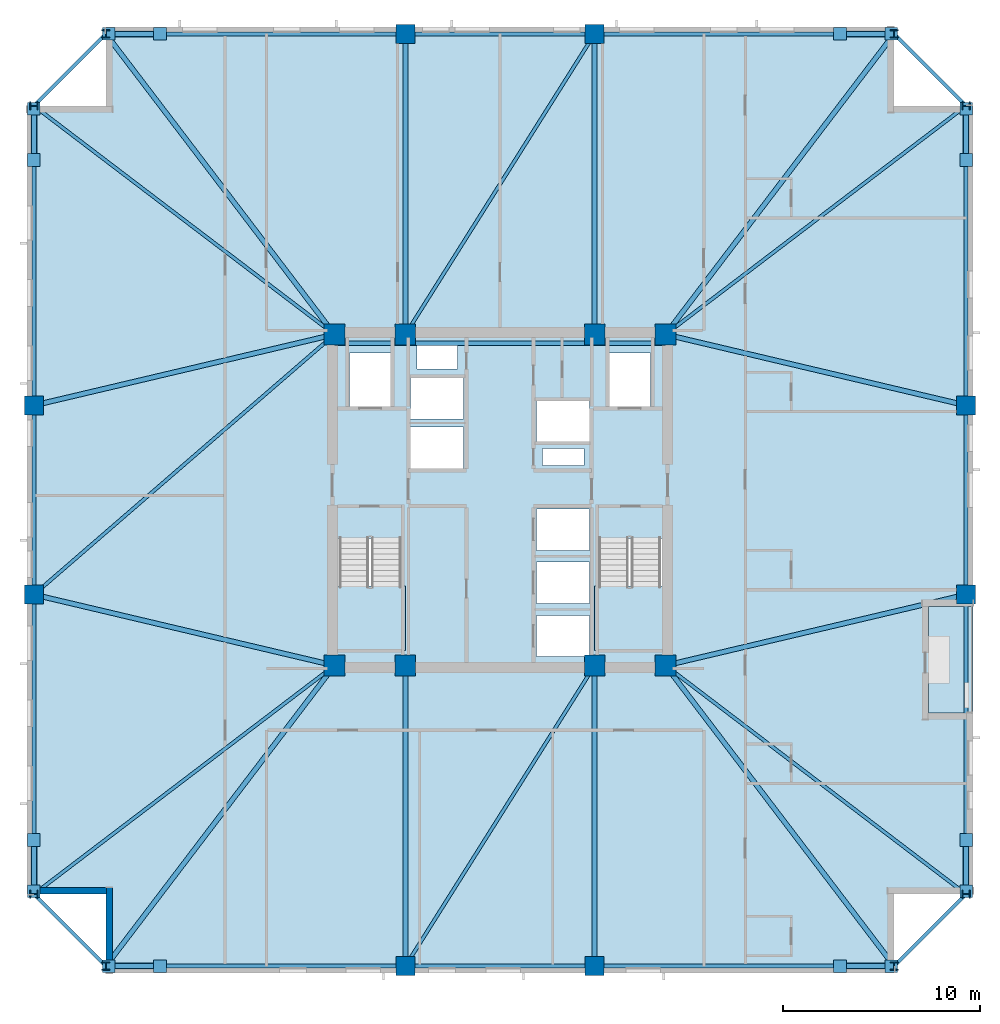
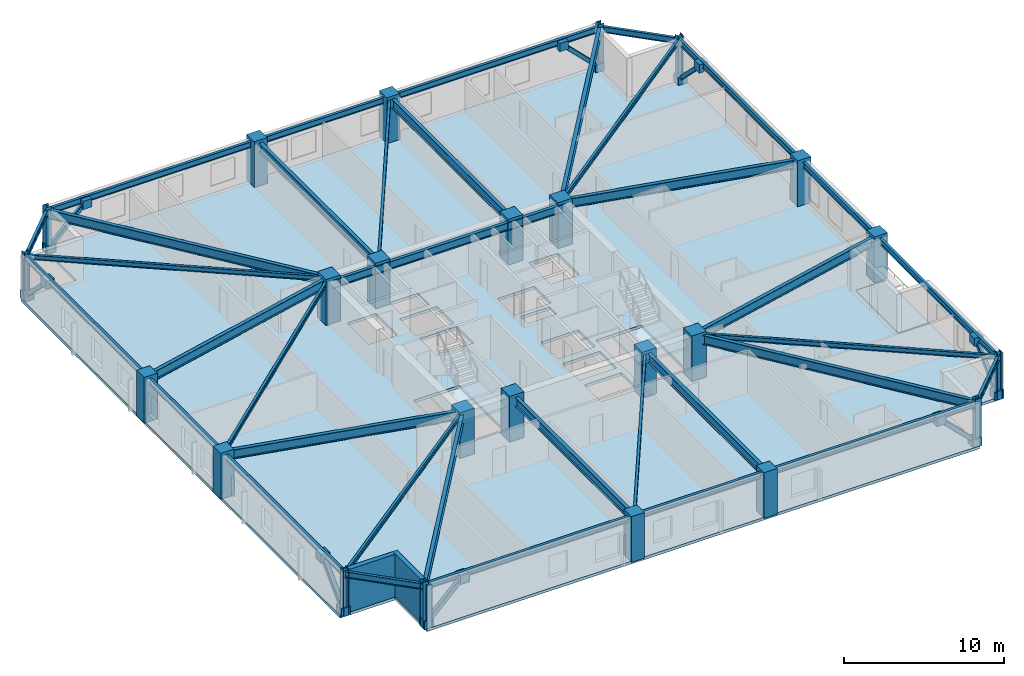
# One storey, part 1 of 10: 38 beams, 24 columns, 16 plates, 8 members, 4 slabs, 2 walls, 2 elements without a shape of their own.
"""IFC4 building model written with IfcOpenShell, lengths in metres."""

from ifc_helpers import new_model, si_unit, direction, frame, frame_2d, origin, origin_2d, place, context, subcontext, project, spatial, polyline, rectangle, hollow_rectangle, i_section, outline, extrude, material, layer, layer_set, material_profile, profile_set, type_object, element, aggregate, save


model = new_model("IFC4")

# Units and contexts
model_context = context("Model", 3, precision=1e-05, world=origin(), true_north=direction((0.0, 1.0)))
body_context = subcontext(model_context, "Body", "Model", "MODEL_VIEW")
ifc_project = project(units=[si_unit("LENGTHUNIT", "METRE"), si_unit("AREAUNIT", "SQUARE_METRE"), si_unit("VOLUMEUNIT", "CUBIC_METRE"), si_unit("PLANEANGLEUNIT", "RADIAN"), si_unit("MASSUNIT", "GRAM", prefix="KILO")], contexts=[model_context])

# Site, building, storey
site_placement = place(None, origin())
site = spatial("IfcSite", under=ifc_project, at=site_placement, CompositionType="ELEMENT")
building_placement = place(site_placement, origin())
building = spatial("IfcBuilding", under=site, at=building_placement, Name="Cairnveth Concourse Tower", CompositionType="ELEMENT")
storey_placement = place(building_placement, frame((0.0, 0.0, 179.5)))
storey = spatial("IfcBuildingStorey", under=building, at=storey_placement, Name="L49", CompositionType="ELEMENT", Elevation=179.5)

# Columns
ifc_material_1 = material(Name="Concrete N65 (65 MPa)", Category="concrete")
ifc_material_profile_1 = material_profile(ifc_material_1, rectangle(XDim=1.050048828125, YDim=1.050048828125, at=origin_2d()), Name="RC-COL-1050x1050")
ifc_profile_set_1 = profile_set([ifc_material_profile_1], Name="Concrete N65 (65 MPa)")
column_type_1 = type_object("IfcColumnType", Name="CORE COLUMN 1050X1050", PredefinedType="COLUMN", material=ifc_profile_set_1)
for number, where, z_axis, x_axis, name in (
    (1, (43.60009765625, 30.60009765625, 0.0), (0.0, 0.0, 1.0), (1.0, 0.0, 0.0), "Column CC1 L49"),
    (2, (47.199951171875, 30.60009765625, 0.0), (0.0, 0.0, 1.0), (1.0, 0.0, 0.0), "Column CC2 L49"),
    (3, (56.800048828125, 30.60009765625, 0.0), (0.0, 0.0, 1.0), (1.0, 0.0, 0.0), "Column CC3 L49"),
    (4, (60.39990234375, 30.60009765625, 0.0), (0.0, 0.0, 1.0), (1.0, 0.0, 0.0), "Column CC4 L49"),
    (5, (43.60009765625, 47.39990234375, 0.0), (0.0, 0.0, 1.0), (1.0, 0.0, 0.0), "Column CC5 L49"),
    (6, (47.199951171875, 47.39990234375, 0.0), (0.0, 0.0, 1.0), (1.0, 0.0, 0.0), "Column CC6 L49"),
    (7, (56.800048828125, 47.39990234375, 0.0), (0.0, 0.0, 1.0), (1.0, 0.0, 0.0), "Column CC7 L49"),
    (8, (60.39990234375, 47.39990234375, 0.0), (0.0, 0.0, 1.0), (1.0, 0.0, 0.0), "Column CC8 L49"),
):
    element("IfcColumn", number, at=place(storey_placement, frame(where, z_axis=z_axis, x_axis=x_axis)), inside=storey, type_object=column_type_1, Name=name, PredefinedType="COLUMN", context=body_context, shape_type="SweptSolid", body=[
        extrude(rectangle(XDim=1.050048828125, YDim=1.050048828125, at=origin_2d()), origin(), (0.0, 0.0, 1.0), 3.5),
    ])
ifc_material_profile_2 = material_profile(ifc_material_1, rectangle(XDim=0.949951171875, YDim=0.949951171875, at=origin_2d()), Name="RC-COL-950x950")
ifc_profile_set_2 = profile_set([ifc_material_profile_2], Name="Concrete N65 (65 MPa)")
column_type_2 = type_object("IfcColumnType", Name="PERIMETER PIER COLUMN 950X950", PredefinedType="COLUMN", material=ifc_profile_set_2)
for number, where, z_axis, x_axis, name in (
    (9, (47.199951171875, 15.35009765625, 0.0), (0.0, 0.0, 1.0), (1.0, 0.0, 0.0), "Column P-S2 L49"),
    (10, (56.800048828125, 15.35009765625, 0.0), (0.0, 0.0, 1.0), (1.0, 0.0, 0.0), "Column P-S3 L49"),
    (11, (75.64990234375, 34.199951171875, 0.0), (0.0, 0.0, 1.0), (0.0, 1.0, 0.0), "Column P-E2 L49"),
    (12, (75.64990234375, 43.800048828125, 0.0), (0.0, 0.0, 1.0), (0.0, 1.0, 0.0), "Column P-E3 L49"),
    (13, (56.800048828125, 62.64990234375, 0.0), (0.0, 0.0, 1.0), (1.0, 0.0, 0.0), "Column P-N2 L49"),
    (14, (47.199951171875, 62.64990234375, 0.0), (0.0, 0.0, 1.0), (1.0, 0.0, 0.0), "Column P-N3 L49"),
    (15, (28.35009765625, 43.800048828125, 0.0), (0.0, 0.0, 1.0), (0.0, 1.0, 0.0), "Column P-W2 L49"),
    (16, (28.35009765625, 34.199951171875, 0.0), (0.0, 0.0, 1.0), (0.0, 1.0, 0.0), "Column P-W3 L49"),
):
    element("IfcColumn", number, at=place(storey_placement, frame(where, z_axis=z_axis, x_axis=x_axis)), inside=storey, type_object=column_type_2, Name=name, PredefinedType="COLUMN", context=body_context, shape_type="SweptSolid", body=[
        extrude(rectangle(XDim=0.949951171875, YDim=0.949951171875, at=origin_2d()), origin(), (0.0, 0.0, 1.0), 3.5),
    ])
ifc_material_2 = material(Name="Steel Grade 350", Category="steel")
ifc_material_profile_3 = material_profile(ifc_material_2, i_section(OverallWidth=0.39990234375, OverallDepth=0.39990234375, WebThickness=0.02197265625, FlangeThickness=0.035888671875, at=origin_2d()), Name="400WC270")
ifc_profile_set_3 = profile_set([ifc_material_profile_3], Name="Steel Grade 350")
column_type_3 = type_object("IfcColumnType", Name="WELDED STEEL COLUMN 400WC270", PredefinedType="COLUMN", material=ifc_profile_set_3)
for number, where, z_axis, x_axis, name in (
    (17, (32.0, 15.35009765625, 0.0), (0.0, 0.0, 1.0), (1.0, 0.0, 0.0), "Column P-S1 L49"),
    (18, (72.0, 15.35009765625, 0.0), (0.0, 0.0, 1.0), (1.0, 0.0, 0.0), "Column P-S4 L49"),
    (19, (75.64990234375, 19.0, 0.0), (0.0, 0.0, 1.0), (0.0, 1.0, 0.0), "Column P-E1 L49"),
    (20, (75.64990234375, 59.0, 0.0), (0.0, 0.0, 1.0), (0.0, 1.0, 0.0), "Column P-E4 L49"),
    (21, (72.0, 62.64990234375, 0.0), (0.0, 0.0, 1.0), (1.0, 0.0, 0.0), "Column P-N1 L49"),
    (22, (32.0, 62.64990234375, 0.0), (0.0, 0.0, 1.0), (1.0, 0.0, 0.0), "Column P-N4 L49"),
    (23, (28.35009765625, 59.0, 0.0), (0.0, 0.0, 1.0), (0.0, 1.0, 0.0), "Column P-W1 L49"),
    (24, (28.35009765625, 19.0, 0.0), (0.0, 0.0, 1.0), (0.0, 1.0, 0.0), "Column P-W4 L49"),
):
    element("IfcColumn", number, at=place(storey_placement, frame(where, z_axis=z_axis, x_axis=x_axis)), inside=storey, type_object=column_type_3, Name=name, PredefinedType="COLUMN", context=body_context, shape_type="SweptSolid", body=[
        extrude(i_section(OverallWidth=0.39990234375, OverallDepth=0.39990234375, WebThickness=0.02197265625, FlangeThickness=0.035888671875, at=origin_2d()), origin(), (0.0, 0.0, 1.0), 3.5),
    ])

# Beams
ifc_material_profile_4 = material_profile(ifc_material_2, i_section(OverallWidth=0.22802734375, OverallDepth=0.60693359375, WebThickness=0.01123046875, FlangeThickness=0.017333984375, FilletRadius=0.013916015625, at=origin_2d()), Name="610UB113")
ifc_profile_set_4 = profile_set([ifc_material_profile_4], Name="Steel Grade 350")
beam_type_1 = type_object("IfcBeamType", Name="CORE TIE BEAM 610UB113", PredefinedType="T_BEAM", material=ifc_profile_set_4)
for number, where, z_axis, x_axis, name in (
    (25, (43.60009765625, 46.949951171875, 2.9765625), (1.0, 0.0, 0.0), (0.0, 1.0, 0.0), "Beam CT-N1 L49"),
    (26, (56.800048828125, 46.949951171875, 2.9765625), (1.0, 0.0, 0.0), (0.0, 1.0, 0.0), "Beam CT-N3 L49"),
):
    element("IfcBeam", number, at=place(storey_placement, frame(where, z_axis=z_axis, x_axis=x_axis)), inside=storey, type_object=beam_type_1, Name=name, PredefinedType="T_BEAM", context=body_context, shape_type="SweptSolid", body=[
        extrude(i_section(OverallWidth=0.22802734375, OverallDepth=0.60693359375, WebThickness=0.01123046875, FlangeThickness=0.017333984375, FilletRadius=0.013916015625, at=origin_2d()), origin(), (0.0, 0.0, 1.0), 3.599853515625),
    ])
beam_1_placement = place(storey_placement, frame((47.199951171875, 46.949951171875, 2.9765625), z_axis=(1.0, 0.0, 0.0), x_axis=(0.0, 1.0, 0.0)))
element("IfcBeam", 27, at=beam_1_placement, inside=storey, type_object=beam_type_1, Name="Beam CT-N2 L49", PredefinedType="T_BEAM", context=body_context, shape_type="SweptSolid", body=[
    extrude(i_section(OverallWidth=0.22802734375, OverallDepth=0.60693359375, WebThickness=0.01123046875, FlangeThickness=0.017333984375, FilletRadius=0.013916015625, at=origin_2d()), origin(), (0.0, 0.0, 1.0), 9.60009765625),
])
ifc_material_profile_5 = material_profile(ifc_material_2, i_section(OverallWidth=0.172119140625, OverallDepth=0.35888671875, WebThickness=0.008056640625, FlangeThickness=0.012939453125, FilletRadius=0.010986328125, at=origin_2d()), Name="360UB56.7")
ifc_profile_set_5 = profile_set([ifc_material_profile_5], Name="Steel Grade 350")
beam_type_2 = type_object("IfcBeamType", Name="ZONE 2 FLOOR JOIST 360UB56.7", PredefinedType="JOIST", material=ifc_profile_set_5)
for number, where, z_axis, x_axis, name in (
    (28, (28.35009765625, 19.0, 3.1005859375), (0.795908242904, 0.6054172684, 0.0), (-0.6054172684, 0.795908242904, 0.0), "Beam FJ-CSW2 L49"),
    (29, (75.64990234375, 19.0, 3.1005859375), (-0.795908242904, 0.6054172684, 0.0), (-0.6054172684, -0.795908242904, 0.0), "Beam FJ-CSE2 L49"),
    (30, (75.64990234375, 59.0, 3.1005859375), (-0.795908242904, -0.6054172684, 0.0), (0.6054172684, -0.795908242904, 0.0), "Beam FJ-CNE2 L49"),
    (31, (28.35009765625, 59.0, 3.1005859375), (0.795908242904, -0.6054172684, 0.0), (0.6054172684, 0.795908242904, 0.0), "Beam FJ-CNW2 L49"),
):
    element("IfcBeam", number, at=place(storey_placement, frame(where, z_axis=z_axis, x_axis=x_axis)), inside=storey, type_object=beam_type_2, Name=name, PredefinedType="JOIST", context=body_context, shape_type="SweptSolid", body=[
        extrude(i_section(OverallWidth=0.172119140625, OverallDepth=0.35888671875, WebThickness=0.008056640625, FlangeThickness=0.012939453125, FilletRadius=0.010986328125, at=origin_2d()), origin(), (0.0, 0.0, 1.0), 19.160400390625),
    ])
for number, where, z_axis, x_axis, name in (
    (32, (47.199951171875, 15.35009765625, 3.1005859375), (0.532743557037, 0.84627672923, 0.0), (-0.84627672923, 0.532743557037, 0.0), "Beam FJ-S-M1 L49"),
    (33, (47.199951171875, 47.39990234375, 3.1005859375), (0.532743557037, 0.84627672923, 0.0), (-0.84627672923, 0.532743557037, 0.0), "Beam FJ-N-M1 L49"),
):
    element("IfcBeam", number, at=place(storey_placement, frame(where, z_axis=z_axis, x_axis=x_axis)), inside=storey, type_object=beam_type_2, Name=name, PredefinedType="JOIST", context=body_context, shape_type="SweptSolid", body=[
        extrude(i_section(OverallWidth=0.172119140625, OverallDepth=0.35888671875, WebThickness=0.008056640625, FlangeThickness=0.012939453125, FilletRadius=0.010986328125, at=origin_2d()), origin(), (0.0, 0.0, 1.0), 18.02001953125),
    ])
beam_2_placement = place(storey_placement, frame((28.35009765625, 34.199951171875, 3.1005859375), z_axis=(0.756099107057, 0.654457134049, 0.0), x_axis=(-0.654457134049, 0.756099107057, 0.0)))
element("IfcBeam", 34, at=beam_2_placement, inside=storey, type_object=beam_type_2, Name="Beam FJ-W-M1 L49", PredefinedType="JOIST", context=body_context, shape_type="SweptSolid", body=[
    extrude(i_section(OverallWidth=0.172119140625, OverallDepth=0.35888671875, WebThickness=0.008056640625, FlangeThickness=0.012939453125, FilletRadius=0.010986328125, at=origin_2d()), origin(), (0.0, 0.0, 1.0), 20.16943359375),
])

# Members
ifc_material_3 = material(Name="Steel C350L0 (350 MPa)", Category="steel")
ifc_material_profile_6 = material_profile(ifc_material_3, hollow_rectangle(XDim=0.300048828125, YDim=0.300048828125, WallThickness=0.01611328125, InnerFilletRadius=0.01611328125, OuterFilletRadius=0.031982421875, at=origin_2d()), Name="300x300x16.0SHS")
ifc_profile_set_6 = profile_set([ifc_material_profile_6], Name="Steel C350L0 (350 MPa)")
member_type = type_object("IfcMemberType", Name="ZONE 2 PIER BRACE 300X300X16SHS", PredefinedType="BRACE", material=ifc_profile_set_6)
for number, where, z_axis, x_axis, name in (
    (35, (32.14990234375, 15.35009765625, 0.25), (0.709834195787, 0.0, 0.704368805735), (0.0, 1.0, 0.0), "Structural Brace PB-S1 L49"),
    (36, (71.85009765625, 15.35009765625, 0.25), (-0.709834195787, 0.0, 0.704368805735), (0.0, -1.0, 0.0), "Structural Brace PB-S2 L49"),
    (37, (32.14990234375, 62.64990234375, 0.25), (0.709834195787, 0.0, 0.704368805735), (0.0, 1.0, 0.0), "Structural Brace PB-N1 L49"),
    (38, (71.85009765625, 62.64990234375, 0.25), (-0.709834195787, 0.0, 0.704368805735), (0.0, -1.0, 0.0), "Structural Brace PB-N2 L49"),
    (39, (28.35009765625, 19.14990234375, 0.25), (0.0, 0.709834195787, 0.704368805735), (-1.0, 0.0, 0.0), "Structural Brace PB-W1 L49"),
    (40, (28.35009765625, 58.85009765625, 0.25), (0.0, -0.709834195787, 0.704368805735), (1.0, 0.0, 0.0), "Structural Brace PB-W2 L49"),
    (41, (75.64990234375, 19.14990234375, 0.25), (0.0, 0.709834195787, 0.704368805735), (-1.0, 0.0, 0.0), "Structural Brace PB-E1 L49"),
    (42, (75.64990234375, 58.85009765625, 0.25), (0.0, -0.709834195787, 0.704368805735), (1.0, 0.0, 0.0), "Structural Brace PB-E2 L49"),
):
    element("IfcMember", number, at=place(storey_placement, frame(where, z_axis=z_axis, x_axis=x_axis)), inside=storey, type_object=member_type, Name=name, PredefinedType="BRACE", context=body_context, shape_type="SweptSolid", body=[
        extrude(hollow_rectangle(XDim=0.300048828125, YDim=0.300048828125, WallThickness=0.01611328125, InnerFilletRadius=0.01611328125, OuterFilletRadius=0.031982421875, at=origin_2d()), origin(), (0.0, 0.0, 1.0), 3.6630859375),
    ])

# Beams
ifc_material_profile_7 = material_profile(ifc_material_2, i_section(OverallWidth=0.25, OverallDepth=0.699951171875, WebThickness=0.011962890625, FlangeThickness=0.028076171875, at=origin_2d()), Name="700WB173")
ifc_profile_set_7 = profile_set([ifc_material_profile_7], Name="Steel Grade 350")
beam_type_3 = type_object("IfcBeamType", Name="ZONE 2 RADIAL GIRDER 700WB173", PredefinedType="BEAM", material=ifc_profile_set_7)
for number, where, z_axis, x_axis, name in (
    (43, (47.199951171875, 15.35009765625, 2.929931640625), (0.0, 1.0, 0.0), (-1.0, 0.0, 0.0), "Beam RG-S1 L49"),
    (44, (56.800048828125, 15.35009765625, 2.929931640625), (0.0, 1.0, 0.0), (-1.0, 0.0, 0.0), "Beam RG-S2 L49"),
    (45, (47.199951171875, 47.39990234375, 2.929931640625), (0.0, 1.0, 0.0), (-1.0, 0.0, 0.0), "Beam RG-N1 L49"),
    (46, (56.800048828125, 47.39990234375, 2.929931640625), (0.0, 1.0, 0.0), (-1.0, 0.0, 0.0), "Beam RG-N2 L49"),
):
    element("IfcBeam", number, at=place(storey_placement, frame(where, z_axis=z_axis, x_axis=x_axis)), inside=storey, type_object=beam_type_3, Name=name, PredefinedType="BEAM", context=body_context, shape_type="SweptSolid", body=[
        extrude(i_section(OverallWidth=0.25, OverallDepth=0.699951171875, WebThickness=0.011962890625, FlangeThickness=0.028076171875, at=origin_2d()), origin(), (0.0, 0.0, 1.0), 15.25),
    ])
for number, where, z_axis, x_axis, name in (
    (47, (28.35009765625, 34.199951171875, 2.929931640625), (0.973251602929, -0.229741849468, 0.0), (0.229741849468, 0.973251602929, 0.0), "Beam RG-W1 L49"),
    (48, (28.35009765625, 43.800048828125, 2.929931640625), (0.973251602929, 0.229741849468, 0.0), (-0.229741849468, 0.973251602929, 0.0), "Beam RG-W2 L49"),
    (49, (60.39990234375, 30.60009765625, 2.929931640625), (0.973251602929, 0.229741849468, 0.0), (-0.229741849468, 0.973251602929, 0.0), "Beam RG-E1 L49"),
    (50, (60.39990234375, 47.39990234375, 2.929931640625), (0.973251602929, -0.229741849468, 0.0), (0.229741849468, 0.973251602929, 0.0), "Beam RG-E2 L49"),
):
    element("IfcBeam", number, at=place(storey_placement, frame(where, z_axis=z_axis, x_axis=x_axis)), inside=storey, type_object=beam_type_3, Name=name, PredefinedType="BEAM", context=body_context, shape_type="SweptSolid", body=[
        extrude(i_section(OverallWidth=0.25, OverallDepth=0.699951171875, WebThickness=0.011962890625, FlangeThickness=0.028076171875, at=origin_2d()), origin(), (0.0, 0.0, 1.0), 15.669189453125),
    ])
for number, where, z_axis, x_axis, name in (
    (51, (32.0, 15.35009765625, 2.929931640625), (0.6054172684, 0.795908242904, 0.0), (-0.795908242904, 0.6054172684, 0.0), "Beam RG-CSW L49"),
    (52, (72.0, 15.35009765625, 2.929931640625), (-0.6054172684, 0.795908242904, 0.0), (-0.795908242904, -0.6054172684, 0.0), "Beam RG-CSE L49"),
    (53, (72.0, 62.64990234375, 2.929931640625), (-0.6054172684, -0.795908242904, 0.0), (0.795908242904, -0.6054172684, 0.0), "Beam RG-CNE L49"),
    (54, (32.0, 62.64990234375, 2.929931640625), (0.6054172684, -0.795908242904, 0.0), (0.795908242904, 0.6054172684, 0.0), "Beam RG-CNW L49"),
):
    element("IfcBeam", number, at=place(storey_placement, frame(where, z_axis=z_axis, x_axis=x_axis)), inside=storey, type_object=beam_type_3, Name=name, PredefinedType="BEAM", context=body_context, shape_type="SweptSolid", body=[
        extrude(i_section(OverallWidth=0.25, OverallDepth=0.699951171875, WebThickness=0.011962890625, FlangeThickness=0.028076171875, at=origin_2d()), origin(), (0.0, 0.0, 1.0), 19.160400390625),
    ])
ifc_material_profile_8 = material_profile(ifc_material_2, i_section(OverallWidth=0.18994140625, OverallDepth=0.45703125, WebThickness=0.009033203125, FlangeThickness=0.014404296875, FilletRadius=0.010986328125, at=origin_2d()), Name="460UB74.6")
ifc_profile_set_8 = profile_set([ifc_material_profile_8], Name="Steel Grade 350")
beam_type_4 = type_object("IfcBeamType", Name="ZONE 2 SPANDREL BEAM 460UB74.6", PredefinedType="SPANDREL", material=ifc_profile_set_8)
beam_3_placement = place(storey_placement, frame((32.0, 15.35009765625, 3.051513671875), z_axis=(1.0, 0.0, 0.0), x_axis=(0.0, 1.0, 0.0)))
element("IfcBeam", 55, at=beam_3_placement, inside=storey, type_object=beam_type_4, Name="Beam SP-S1 L49", PredefinedType="SPANDREL", context=body_context, shape_type="SweptSolid", body=[
    extrude(i_section(OverallWidth=0.18994140625, OverallDepth=0.45703125, WebThickness=0.009033203125, FlangeThickness=0.014404296875, FilletRadius=0.010986328125, at=origin_2d()), origin(), (0.0, 0.0, 1.0), 15.199951171875),
])
beam_4_placement = place(storey_placement, frame((47.199951171875, 15.35009765625, 3.051513671875), z_axis=(1.0, 0.0, 0.0), x_axis=(0.0, 1.0, 0.0)))
element("IfcBeam", 56, at=beam_4_placement, inside=storey, type_object=beam_type_4, Name="Beam SP-S2 L49", PredefinedType="SPANDREL", context=body_context, shape_type="SweptSolid", body=[
    extrude(i_section(OverallWidth=0.18994140625, OverallDepth=0.45703125, WebThickness=0.009033203125, FlangeThickness=0.014404296875, FilletRadius=0.010986328125, at=origin_2d()), origin(), (0.0, 0.0, 1.0), 9.60009765625),
])
for number, where, z_axis, x_axis, name in (
    (57, (56.800048828125, 15.35009765625, 3.051513671875), (1.0, 0.0, 0.0), (0.0, 1.0, 0.0), "Beam SP-S3 L49"),
    (58, (32.0, 62.64990234375, 3.051513671875), (1.0, 0.0, 0.0), (0.0, 1.0, 0.0), "Beam SP-N1 L49"),
):
    element("IfcBeam", number, at=place(storey_placement, frame(where, z_axis=z_axis, x_axis=x_axis)), inside=storey, type_object=beam_type_4, Name=name, PredefinedType="SPANDREL", context=body_context, shape_type="SweptSolid", body=[
        extrude(i_section(OverallWidth=0.18994140625, OverallDepth=0.45703125, WebThickness=0.009033203125, FlangeThickness=0.014404296875, FilletRadius=0.010986328125, at=origin_2d()), origin(), (0.0, 0.0, 1.0), 15.199951171875),
    ])
beam_5_placement = place(storey_placement, frame((47.199951171875, 62.64990234375, 3.051513671875), z_axis=(1.0, 0.0, 0.0), x_axis=(0.0, 1.0, 0.0)))
element("IfcBeam", 59, at=beam_5_placement, inside=storey, type_object=beam_type_4, Name="Beam SP-N2 L49", PredefinedType="SPANDREL", context=body_context, shape_type="SweptSolid", body=[
    extrude(i_section(OverallWidth=0.18994140625, OverallDepth=0.45703125, WebThickness=0.009033203125, FlangeThickness=0.014404296875, FilletRadius=0.010986328125, at=origin_2d()), origin(), (0.0, 0.0, 1.0), 9.60009765625),
])
for number, where, z_axis, x_axis, name in (
    (60, (56.800048828125, 62.64990234375, 3.051513671875), (1.0, 0.0, 0.0), (0.0, 1.0, 0.0), "Beam SP-N3 L49"),
    (61, (28.35009765625, 19.0, 3.051513671875), (0.0, 1.0, 0.0), (-1.0, 0.0, 0.0), "Beam SP-W1 L49"),
):
    element("IfcBeam", number, at=place(storey_placement, frame(where, z_axis=z_axis, x_axis=x_axis)), inside=storey, type_object=beam_type_4, Name=name, PredefinedType="SPANDREL", context=body_context, shape_type="SweptSolid", body=[
        extrude(i_section(OverallWidth=0.18994140625, OverallDepth=0.45703125, WebThickness=0.009033203125, FlangeThickness=0.014404296875, FilletRadius=0.010986328125, at=origin_2d()), origin(), (0.0, 0.0, 1.0), 15.199951171875),
    ])
beam_6_placement = place(storey_placement, frame((28.35009765625, 34.199951171875, 3.051513671875), z_axis=(0.0, 1.0, 0.0), x_axis=(-1.0, 0.0, 0.0)))
element("IfcBeam", 62, at=beam_6_placement, inside=storey, type_object=beam_type_4, Name="Beam SP-W2 L49", PredefinedType="SPANDREL", context=body_context, shape_type="SweptSolid", body=[
    extrude(i_section(OverallWidth=0.18994140625, OverallDepth=0.45703125, WebThickness=0.009033203125, FlangeThickness=0.014404296875, FilletRadius=0.010986328125, at=origin_2d()), origin(), (0.0, 0.0, 1.0), 9.60009765625),
])
for number, where, z_axis, x_axis, name in (
    (63, (28.35009765625, 43.800048828125, 3.051513671875), (0.0, 1.0, 0.0), (-1.0, 0.0, 0.0), "Beam SP-W3 L49"),
    (64, (75.64990234375, 19.0, 3.051513671875), (0.0, 1.0, 0.0), (-1.0, 0.0, 0.0), "Beam SP-E1 L49"),
):
    element("IfcBeam", number, at=place(storey_placement, frame(where, z_axis=z_axis, x_axis=x_axis)), inside=storey, type_object=beam_type_4, Name=name, PredefinedType="SPANDREL", context=body_context, shape_type="SweptSolid", body=[
        extrude(i_section(OverallWidth=0.18994140625, OverallDepth=0.45703125, WebThickness=0.009033203125, FlangeThickness=0.014404296875, FilletRadius=0.010986328125, at=origin_2d()), origin(), (0.0, 0.0, 1.0), 15.199951171875),
    ])
beam_7_placement = place(storey_placement, frame((75.64990234375, 34.199951171875, 3.051513671875), z_axis=(0.0, 1.0, 0.0), x_axis=(-1.0, 0.0, 0.0)))
element("IfcBeam", 65, at=beam_7_placement, inside=storey, type_object=beam_type_4, Name="Beam SP-E2 L49", PredefinedType="SPANDREL", context=body_context, shape_type="SweptSolid", body=[
    extrude(i_section(OverallWidth=0.18994140625, OverallDepth=0.45703125, WebThickness=0.009033203125, FlangeThickness=0.014404296875, FilletRadius=0.010986328125, at=origin_2d()), origin(), (0.0, 0.0, 1.0), 9.60009765625),
])
beam_8_placement = place(storey_placement, frame((75.64990234375, 43.800048828125, 3.051513671875), z_axis=(0.0, 1.0, 0.0), x_axis=(-1.0, 0.0, 0.0)))
element("IfcBeam", 66, at=beam_8_placement, inside=storey, type_object=beam_type_4, Name="Beam SP-E3 L49", PredefinedType="SPANDREL", context=body_context, shape_type="SweptSolid", body=[
    extrude(i_section(OverallWidth=0.18994140625, OverallDepth=0.45703125, WebThickness=0.009033203125, FlangeThickness=0.014404296875, FilletRadius=0.010986328125, at=origin_2d()), origin(), (0.0, 0.0, 1.0), 15.199951171875),
])
for number, where, z_axis, x_axis, name in (
    (67, (28.35009765625, 19.0, 3.051513671875), (0.707106781187, -0.707106781187, 0.0), (0.707106781187, 0.707106781187, 0.0), "Beam SP-SW L49"),
    (68, (72.0, 15.35009765625, 3.051513671875), (0.707106781187, 0.707106781187, 0.0), (-0.707106781187, 0.707106781187, 0.0), "Beam SP-SE L49"),
    (69, (72.0, 62.64990234375, 3.051513671875), (0.707106781187, -0.707106781187, 0.0), (0.707106781187, 0.707106781187, 0.0), "Beam SP-NE L49"),
    (70, (28.35009765625, 59.0, 3.051513671875), (0.707106781187, 0.707106781187, 0.0), (-0.707106781187, 0.707106781187, 0.0), "Beam SP-NW L49"),
):
    element("IfcBeam", number, at=place(storey_placement, frame(where, z_axis=z_axis, x_axis=x_axis)), inside=storey, type_object=beam_type_4, Name=name, PredefinedType="SPANDREL", context=body_context, shape_type="SweptSolid", body=[
        extrude(i_section(OverallWidth=0.18994140625, OverallDepth=0.45703125, WebThickness=0.009033203125, FlangeThickness=0.014404296875, FilletRadius=0.010986328125, at=origin_2d()), origin(), (0.0, 0.0, 1.0), 5.16162109375),
    ])

# Slab
ifc_material_4 = material(Name="Concrete N50 (50 MPa)", Category="concrete")
ifc_layer_1 = layer(ifc_material_4, 0.219970703125)
ifc_layer_set_1 = layer_set([ifc_layer_1], Name="Concrete N50 (50 MPa)")
slab_type_1 = type_object("IfcSlabType", Name="LOWER TOWER COMPOSITE SLAB 220", PredefinedType="FLOOR", material=ifc_layer_set_1)
slab_1_placement = place(storey_placement, frame((0.0, 0.0, -0.219970703125)))
element("IfcSlab", 71, at=slab_1_placement, inside=storey, type_object=slab_type_1, Name="Tower Floor Slab L49", PredefinedType="FLOOR", context=body_context, shape_type="SweptSolid", body=[
    extrude(outline(polyline([(76.0, 28.199951171875), (73.75, 28.199951171875), (73.75, 33.60009765625), (76.0, 33.60009765625), (76.0, 59.0), (72.0, 59.0), (72.0, 63.0), (32.0, 63.0), (32.0, 59.0), (28.0, 59.0), (28.0, 19.0), (32.0, 19.0), (32.0, 15.0), (72.0, 15.0), (72.0, 19.0), (76.0, 19.0), (76.0, 28.199951171875)]), holes=[polyline([(43.760009765625, 31.360107421875), (47.06005859375, 31.360107421875), (47.06005859375, 37.0400390625), (43.760009765625, 37.0400390625), (43.760009765625, 31.360107421875)]), polyline([(56.93994140625, 31.360107421875), (60.239990234375, 31.360107421875), (60.239990234375, 37.0400390625), (56.93994140625, 37.0400390625), (56.93994140625, 31.360107421875)]), polyline([(44.3701171875, 43.75), (46.469970703125, 43.75), (46.469970703125, 46.449951171875), (44.3701171875, 46.449951171875), (44.3701171875, 43.75)]), polyline([(57.530029296875, 43.75), (59.6298828125, 43.75), (59.6298828125, 46.449951171875), (57.530029296875, 46.449951171875), (57.530029296875, 43.75)]), polyline([(53.85009765625, 31.050048828125), (56.550048828125, 31.050048828125), (56.550048828125, 33.14990234375), (53.85009765625, 33.14990234375), (53.85009765625, 31.050048828125)]), polyline([(53.85009765625, 33.75), (56.550048828125, 33.75), (56.550048828125, 35.85009765625), (53.85009765625, 35.85009765625), (53.85009765625, 33.75)]), polyline([(53.85009765625, 36.449951171875), (56.550048828125, 36.449951171875), (56.550048828125, 38.550048828125), (53.85009765625, 38.550048828125), (53.85009765625, 36.449951171875)]), polyline([(47.449951171875, 40.60009765625), (50.14990234375, 40.60009765625), (50.14990234375, 42.699951171875), (47.449951171875, 42.699951171875), (47.449951171875, 40.60009765625)]), polyline([(47.449951171875, 43.10009765625), (50.14990234375, 43.10009765625), (50.14990234375, 45.199951171875), (47.449951171875, 45.199951171875), (47.449951171875, 43.10009765625)]), polyline([(53.85009765625, 41.949951171875), (56.550048828125, 41.949951171875), (56.550048828125, 44.050048828125), (53.85009765625, 44.050048828125), (53.85009765625, 41.949951171875)]), polyline([(47.800048828125, 45.64990234375), (49.85009765625, 45.64990234375), (49.85009765625, 47.050048828125), (47.800048828125, 47.050048828125), (47.800048828125, 45.64990234375)]), polyline([(54.14990234375, 40.75), (56.25, 40.75), (56.25, 41.6201171875), (54.14990234375, 41.6201171875), (54.14990234375, 40.75)])]), origin(), (0.0, 0.0, 1.0), 0.219970703125),
])

# Plates
ifc_layer_2 = layer(ifc_material_2, 0.031982421875)
ifc_layer_set_2 = layer_set([ifc_layer_2], Name="Steel Grade 350")
plate_type = type_object("IfcPlateType", Name="PERIMETER BRACE GUSSET PLATE 32", PredefinedType="USERDEFINED", material=ifc_layer_set_2)
for number, where, z_axis, x_axis, name in (
    (72, (32.14990234375, 15.35009765625, -0.06982421875), (0.0, 0.0, 1.0), (1.0, 0.0, 0.0), "Structural Node Plate 0817 L49"),
    (73, (34.75, 15.35009765625, 2.51025390625), (0.0, 0.0, 1.0), (1.0, 0.0, 0.0), "Structural Node Plate 0818 L49"),
    (74, (71.85009765625, 15.35009765625, -0.06982421875), (0.0, 0.0, 1.0), (1.0, 0.0, 0.0), "Structural Node Plate 0819 L49"),
    (75, (69.25, 15.35009765625, 2.51025390625), (0.0, 0.0, 1.0), (1.0, 0.0, 0.0), "Structural Node Plate 0820 L49"),
    (76, (32.14990234375, 62.64990234375, -0.06982421875), (0.0, 0.0, 1.0), (1.0, 0.0, 0.0), "Structural Node Plate 0821 L49"),
    (77, (34.75, 62.64990234375, 2.51025390625), (0.0, 0.0, 1.0), (1.0, 0.0, 0.0), "Structural Node Plate 0822 L49"),
    (78, (71.85009765625, 62.64990234375, -0.06982421875), (0.0, 0.0, 1.0), (1.0, 0.0, 0.0), "Structural Node Plate 0823 L49"),
    (79, (69.25, 62.64990234375, 2.51025390625), (0.0, 0.0, 1.0), (1.0, 0.0, 0.0), "Structural Node Plate 0824 L49"),
    (80, (28.35009765625, 19.14990234375, -0.06982421875), (0.0, 0.0, 1.0), (1.0, 0.0, 0.0), "Structural Node Plate 0825 L49"),
    (81, (28.35009765625, 21.75, 2.51025390625), (0.0, 0.0, 1.0), (1.0, 0.0, 0.0), "Structural Node Plate 0826 L49"),
    (82, (28.35009765625, 58.85009765625, -0.06982421875), (0.0, 0.0, 1.0), (1.0, 0.0, 0.0), "Structural Node Plate 0827 L49"),
    (83, (28.35009765625, 56.25, 2.51025390625), (0.0, 0.0, 1.0), (1.0, 0.0, 0.0), "Structural Node Plate 0828 L49"),
    (84, (75.64990234375, 19.14990234375, -0.06982421875), (0.0, 0.0, 1.0), (1.0, 0.0, 0.0), "Structural Node Plate 0829 L49"),
    (85, (75.64990234375, 21.75, 2.51025390625), (0.0, 0.0, 1.0), (1.0, 0.0, 0.0), "Structural Node Plate 0830 L49"),
    (86, (75.64990234375, 58.85009765625, -0.06982421875), (0.0, 0.0, 1.0), (1.0, 0.0, 0.0), "Structural Node Plate 0831 L49"),
    (87, (75.64990234375, 56.25, 2.51025390625), (0.0, 0.0, 1.0), (1.0, 0.0, 0.0), "Structural Node Plate 0832 L49"),
):
    element("IfcPlate", number, at=place(storey_placement, frame(where, z_axis=z_axis, x_axis=x_axis)), inside=storey, type_object=plate_type, Name=name, ObjectType="GUSSET PLATE", PredefinedType="USERDEFINED", context=body_context, shape_type="SweptSolid", body=[
        extrude(rectangle(XDim=0.639892578125, YDim=0.639892578125, at=origin_2d()), origin(), (0.0, 0.0, 1.0), 0.639892578125),
    ])

# Slab
ifc_layer_3 = layer(ifc_material_4, 0.18994140625)
ifc_layer_set_3 = layer_set([ifc_layer_3], Name="Concrete N50 (50 MPa)")
slab_type_2 = type_object("IfcSlabType", Name="SPIRAL OUTDOOR TERRACE SLAB 190", PredefinedType="FLOOR", material=ifc_layer_set_3)
slab_2_placement = place(storey_placement, frame((0.0, 0.0, -0.18994140625)))
element("IfcSlab", 88, at=slab_2_placement, inside=storey, type_object=slab_type_2, Name="Spiral Terrace Slab L49", PredefinedType="FLOOR", context=body_context, shape_type="SweptSolid", body=[
    extrude(outline(polyline([(73.75, 28.199951171875), (76.0, 28.199951171875), (76.0, 33.60009765625), (73.75, 33.60009765625), (73.75, 28.199951171875)])), origin(), (0.0, 0.0, 1.0), 0.18994140625),
])

# Stair, slab
ifc_material_5 = material(Name="Precast concrete N50 (50 MPa)", Category="concrete")
stair_type = type_object("IfcStairType", Name="CORE DOG-LEG FIRE STAIR 1500", PredefinedType="HALF_TURN_STAIR", material=ifc_material_5)
stair_1_placement = place(storey_placement, origin())
stair_1 = element("IfcStair", 89, at=stair_1_placement, inside=storey, type_object=stair_type, Name="L49 Fire-Isolated Stair ST-1", PredefinedType="HALF_TURN_STAIR")
ifc_layer_4 = layer(ifc_material_4, 0.199951171875)
ifc_layer_set_4 = layer_set([ifc_layer_4], Name="Concrete N50 (50 MPa)")
slab_type_3 = type_object("IfcSlabType", Name="STAIR HALF LANDING SLAB 200", PredefinedType="LANDING", material=ifc_layer_set_4)
slab_3_placement = place(storey_placement, frame((0.0, 0.0, 1.550048828125)))
slab_3 = element("IfcSlab", 90, at=slab_3_placement, type_object=slab_type_3, Name="ST-1 landing 1", PredefinedType="LANDING", context=body_context, shape_type="SweptSolid", body=[
    extrude(outline(polyline([(43.6201171875, 34.639892578125), (43.6201171875, 31.3701171875), (47.199951171875, 31.3701171875), (47.199951171875, 34.639892578125), (43.6201171875, 34.639892578125)])), origin(), (0.0, 0.0, 1.0), 0.199951171875),
])
aggregate(stair_1, [slab_3])

stair_2_placement = place(storey_placement, origin())
stair_2 = element("IfcStair", 91, at=stair_2_placement, inside=storey, type_object=stair_type, Name="L49 Fire-Isolated Stair ST-2", PredefinedType="HALF_TURN_STAIR")
slab_4_placement = place(storey_placement, frame((0.0, 0.0, 1.550048828125)))
slab_4 = element("IfcSlab", 92, at=slab_4_placement, type_object=slab_type_3, Name="ST-2 landing 1", PredefinedType="LANDING", context=body_context, shape_type="SweptSolid", body=[
    extrude(outline(polyline([(56.800048828125, 34.639892578125), (56.800048828125, 31.3701171875), (60.3798828125, 31.3701171875), (60.3798828125, 34.639892578125), (56.800048828125, 34.639892578125)])), origin(), (0.0, 0.0, 1.0), 0.199951171875),
])
aggregate(stair_2, [slab_4])

# Walls
ifc_material_6 = material(Name="Hawthorn Red-Ochre Fired Clay Brick Masonry", Category="masonry")
ifc_layer_5 = layer(ifc_material_6, 0.340087890625)
ifc_layer_set_5 = layer_set([ifc_layer_5], Name="Hawthorn Red-Ochre Fired Clay Brick Masonry")
wall_type = type_object("IfcWallType", Name="ZONE 2 BRICK PIER SPANDREL WALL 340", PredefinedType="SOLIDWALL", material=ifc_layer_set_5)
wall_1_placement = place(storey_placement, frame((32.169921875, 15.0, 0.0), z_axis=(0.0, 0.0, 1.0), x_axis=(0.0, 1.0, 0.0)))
element("IfcWall", 93, at=wall_1_placement, inside=storey, type_object=wall_type, Name="Exterior Wall EW-L49-S04", PredefinedType="SOLIDWALL", context=body_context, shape_type="SweptSolid", body=[
    extrude(rectangle(XDim=4.340087890625, YDim=0.340087890625, at=frame_2d((2.169921875, 0.0))), origin(), (0.0, 0.0, 1.0), 3.280029296875),
])
wall_2_placement = place(storey_placement, frame((32.02197265625, 19.169921875, 0.0), z_axis=(0.0, 0.0, 1.0), x_axis=(-1.0, 0.0, 0.0)))
element("IfcWall", 94, at=wall_2_placement, inside=storey, type_object=wall_type, Name="Exterior Wall EW-L49-S05", PredefinedType="SOLIDWALL", context=body_context, shape_type="SweptSolid", body=[
    extrude(rectangle(XDim=3.703857421875, YDim=0.340087890625, at=frame_2d((1.85205078125, 0.0))), origin(), (0.0, 0.0, 1.0), 3.280029296875),
])

save(model, "model.ifc")
